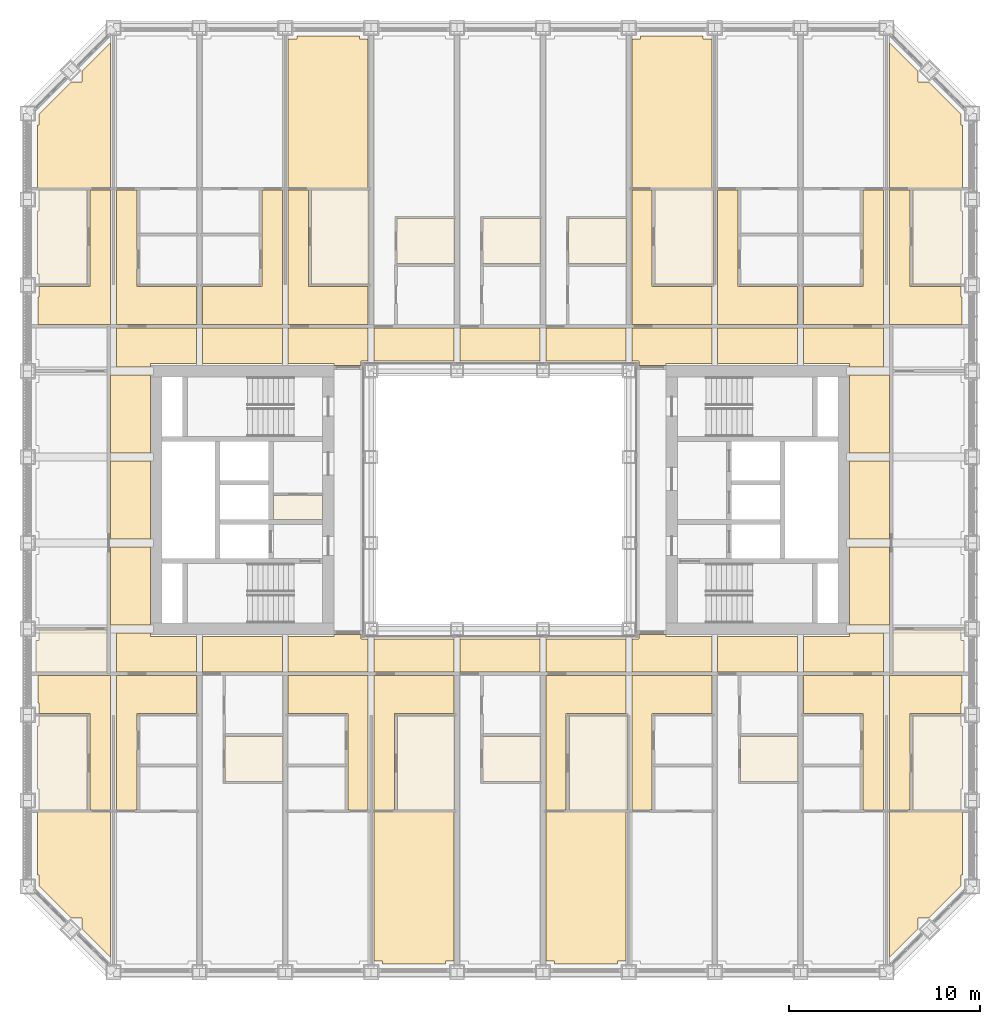
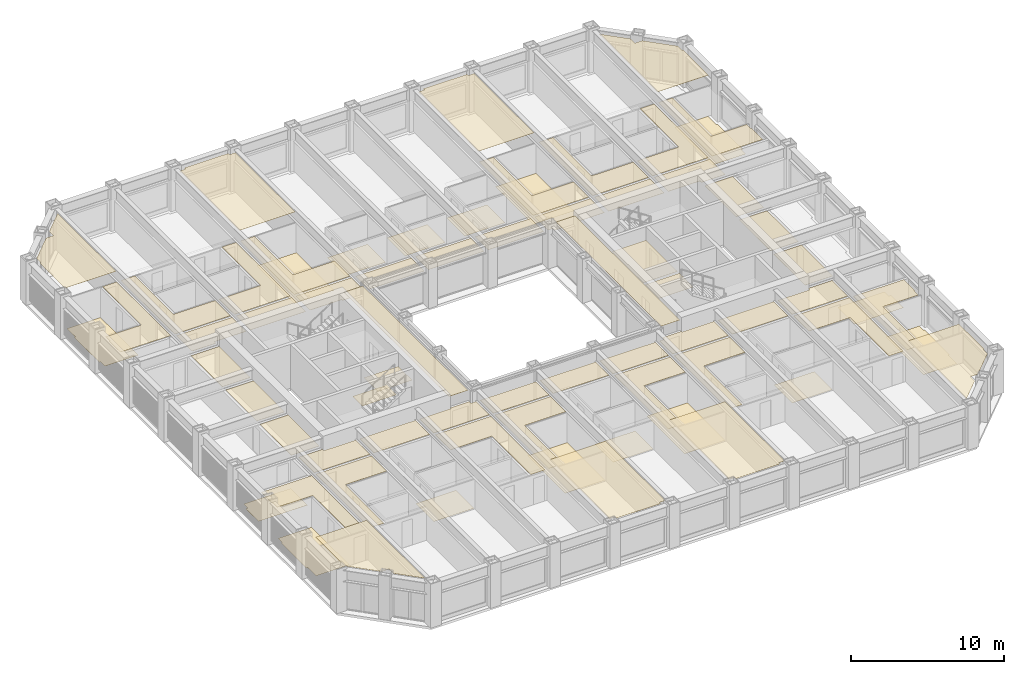
# One storey, part 19 of 21: 3 coverings.
"""IFC4 building model written with IfcOpenShell, lengths in metres."""

import ifcopenshell
import ifcopenshell.guid

model = None  # the IFC model being written
_history = None  # IfcOwnerHistory: only IFC2X3 demands one
_inside = {}  # id of a spatial element -> (the spatial element, [elements in it])
_under = {}  # id of a project, library or spatial element -> (it, [spatial elements below it])
_declared = {}  # id of a project -> (the project, [libraries it declares])
_typed = {}  # id of a type object -> (the type object, [elements of that type])
_made_of = {}  # id of a material, layer set ... -> (it, [elements and type objects made of it])


def new_model(schema):
    """Start an empty IFC model of exactly this schema.

    Asked for "IFC4X3", IfcOpenShell would pick the latest addendum, in which some entities
    have other attributes; the version numbers below select the first issue.
    IFC2X3 requires an IfcOwnerHistory on every rooted entity: one is made here for all.
    """
    global model, _history
    if schema == "IFC4X3":
        model = ifcopenshell.file(schema_version=(4, 3, 0, 0))
    else:
        model = ifcopenshell.file(schema=schema)
    _inside.clear()
    _under.clear()
    _declared.clear()
    _typed.clear()
    _made_of.clear()
    _history = None
    if model.schema == "IFC2X3":
        org = make("IfcOrganization", Name="unknown")
        user = make(
            "IfcPersonAndOrganization",
            ThePerson=make("IfcPerson", FamilyName="unknown"),
            TheOrganization=org,
        )
        app = make(
            "IfcApplication",
            ApplicationDeveloper=org,
            Version="unknown",
            ApplicationFullName="unknown",
            ApplicationIdentifier="unknown",
        )
        _history = make(
            "IfcOwnerHistory",
            OwningUser=user,
            OwningApplication=app,
            ChangeAction="ADDED",
            CreationDate=0,
        )
    return model


def make(cls, **values):
    """One entity of the class cls with the attributes given. An attribute that is None is left unset."""
    return model.create_entity(
        cls, **{name: value for name, value in values.items() if value is not None}
    )


def rooted(cls, **values):
    """An entity with a GlobalId (a new one), such as an element, a storey or a relation."""
    return make(cls, GlobalId=ifcopenshell.guid.new(), OwnerHistory=_history, **values)


def si_unit(unit_type, name, prefix=None):
    """IfcSIUnit, for example si_unit("LENGTHUNIT", "METRE", prefix="MILLI")."""
    return make("IfcSIUnit", UnitType=unit_type, Prefix=prefix, Name=name)


def assignment(units):
    """IfcUnitAssignment: the units of a project."""
    return None if units is None else make("IfcUnitAssignment", Units=units)


def point(xyz):
    """IfcCartesianPoint."""
    return None if xyz is None else make("IfcCartesianPoint", Coordinates=xyz)


def direction(xyz):
    """IfcDirection."""
    return None if xyz is None else make("IfcDirection", DirectionRatios=xyz)


def frame(location, z_axis=None, x_axis=None):
    """IfcAxis2Placement3D, a coordinate frame: its origin and axes. An axis left out is left unset."""
    return make(
        "IfcAxis2Placement3D",
        Location=point(location),
        Axis=direction(z_axis),
        RefDirection=direction(x_axis),
    )


def origin():
    """The frame at (0, 0, 0) with its axes left unset."""
    return frame((0.0, 0.0, 0.0))


def place(relative_to, where):
    """IfcLocalPlacement: puts the frame where relative to a parent placement (None: the world)."""
    return make(
        "IfcLocalPlacement", PlacementRelTo=relative_to, RelativePlacement=where
    )


def context(
    kind, dimensions, precision=None, world=None, true_north=None, identifier=None
):
    """IfcGeometricRepresentationContext, for example the 3D "Model" context."""
    return make(
        "IfcGeometricRepresentationContext",
        ContextIdentifier=identifier,
        ContextType=kind,
        CoordinateSpaceDimension=dimensions,
        Precision=precision,
        WorldCoordinateSystem=world,
        TrueNorth=true_north,
    )


def subcontext(parent, identifier, kind, view, scale=None):
    """IfcGeometricRepresentationSubContext, for example "Body" below "Model"."""
    return make(
        "IfcGeometricRepresentationSubContext",
        ContextIdentifier=identifier,
        ContextType=kind,
        ParentContext=parent,
        TargetScale=scale,
        TargetView=view,
    )


def project(units=None, contexts=None):
    """IfcProject with its units and contexts."""
    return rooted(
        "IfcProject",
        Name="project",
        RepresentationContexts=contexts,
        UnitsInContext=assignment(units),
    )


def spatial(cls, under=None, at=None, **own):
    """A site, building, storey or space (cls), placed at a placement, below another one or the project."""
    s = rooted(cls, ObjectPlacement=at, **own)
    if under is not None:
        _under.setdefault(under.id(), (under, []))[1].append(s)
    return s


def point_list(points):
    """IfcCartesianPointList2D or 3D."""
    cls = (
        "IfcCartesianPointList2D" if len(points[0]) == 2 else "IfcCartesianPointList3D"
    )
    return make(cls, CoordList=points)


def line(*indices):
    """IfcLineIndex: a straight run through numbered points of an indexed curve."""
    return model.create_entity("IfcLineIndex", indices)


def indexed_curve(points, segments=None, self_intersect=None):
    """IfcIndexedPolyCurve: lines and arcs through numbered points (the first is 1)."""
    return make(
        "IfcIndexedPolyCurve",
        Points=point_list(points),
        Segments=segments,
        SelfIntersect=self_intersect,
    )


def outline(outer, holes=None, kind="AREA"):
    """IfcArbitraryClosedProfileDef: a profile drawn as a closed curve; with holes, ...WithVoids."""
    if holes is None:
        return make("IfcArbitraryClosedProfileDef", ProfileType=kind, OuterCurve=outer)
    return make(
        "IfcArbitraryProfileDefWithVoids",
        ProfileType=kind,
        OuterCurve=outer,
        InnerCurves=holes,
    )


def extrude(swept, where, along, depth):
    """IfcExtrudedAreaSolid: the profile swept, set in the frame where, extruded along a direction by depth."""
    return make(
        "IfcExtrudedAreaSolid",
        SweptArea=swept,
        Position=where,
        ExtrudedDirection=direction(along),
        Depth=depth,
    )


def shape(context_of_items, identifier, shape_type, items):
    """IfcShapeRepresentation: the items that make up one representation, for example the "Body"."""
    return make(
        "IfcShapeRepresentation",
        ContextOfItems=context_of_items,
        RepresentationIdentifier=identifier,
        RepresentationType=shape_type,
        Items=items,
    )


def material(Name=None, Category=None):
    """IfcMaterial."""
    return make("IfcMaterial", Name=Name, Category=Category)


def layer(
    of_material, thickness, ventilated=None, Name=None, Category=None, Priority=None
):
    """IfcMaterialLayer: one layer of a wall or slab, of a material (None: an air gap)."""
    return make(
        "IfcMaterialLayer",
        Material=of_material,
        LayerThickness=thickness,
        IsVentilated=ventilated,
        Name=Name,
        Category=Category,
        Priority=Priority,
    )


def layer_set(layers, Name=None):
    """IfcMaterialLayerSet."""
    return make("IfcMaterialLayerSet", MaterialLayers=layers, LayerSetName=Name)


def made_of(thing, what):
    """Note that an element or type object is made of a material, layer set ...; save() writes the relation."""
    if what is not None:
        _made_of.setdefault(what.id(), (what, []))[1].append(thing)
    return thing


def type_object(cls, material=None, **own):
    """A type object (cls), such as IfcWallType, which elements share."""
    return made_of(rooted(cls, **own), material)


def element(
    cls,
    number,
    at=None,
    inside=None,
    cuts=None,
    type_object=None,
    material=None,
    context=None,
    identifier="Body",
    shape_type=None,
    held_by="IfcProductDefinitionShape",
    body=None,
    shapes=None,
    **own,
):
    """One element of the class cls, such as IfcWall. Its Tag is "e" and its number.

    at: its placement. inside: the storey or other place that contains it. cuts: it is an
    opening in that element (IfcRelVoidsElement). A single representation is given by context,
    identifier, shape_type and body (its items); several are given by shapes. held_by: the class
    of the entity that holds the representations. save() writes the other relations.
    """
    e = rooted(cls, Tag="e%d" % number, ObjectPlacement=at, **own)
    if body is not None:
        shapes = [shape(context, identifier, shape_type, body)]
    if shapes is not None:
        e.Representation = make(held_by, Representations=shapes)
    if inside is not None:
        _inside.setdefault(inside.id(), (inside, []))[1].append(e)
    if cuts is not None:
        rooted(
            "IfcRelVoidsElement", RelatingBuildingElement=cuts, RelatedOpeningElement=e
        )
    if type_object is not None:
        _typed.setdefault(type_object.id(), (type_object, []))[1].append(e)
    return made_of(e, material)


def aggregate(whole, parts):
    """IfcRelAggregates: a whole, such as a stair, and the parts it consists of."""
    return rooted("IfcRelAggregates", RelatingObject=whole, RelatedObjects=parts)


def save(model, path):
    """Write the relations noted so far, then the file.

    IfcRelAggregates (storeys below a building ...), IfcRelContainedInSpatialStructure (elements
    in a storey), IfcRelDefinesByType, IfcRelAssociatesMaterial and IfcRelDeclares: one each for
    every whole, place, type object, material and project.
    """
    for whole, parts in _under.values():
        aggregate(whole, parts)
    for where, things in _inside.values():
        rooted(
            "IfcRelContainedInSpatialStructure",
            RelatedElements=things,
            RelatingStructure=where,
        )
    for kind, things in _typed.values():
        rooted("IfcRelDefinesByType", RelatedObjects=things, RelatingType=kind)
    for what, things in _made_of.values():
        rooted("IfcRelAssociatesMaterial", RelatedObjects=things, RelatingMaterial=what)
    for by, libraries in _declared.values():
        rooted("IfcRelDeclares", RelatingContext=by, RelatedDefinitions=libraries)
    model.write(path)


model = new_model("IFC4")

# Units and contexts
model_context = context("Model", 3, precision=1e-05, world=origin(), true_north=direction((0.0, 1.0)))
body_context = subcontext(model_context, "Body", "Model", "MODEL_VIEW")
ifc_project = project(units=[si_unit("LENGTHUNIT", "METRE"), si_unit("AREAUNIT", "SQUARE_METRE"), si_unit("VOLUMEUNIT", "CUBIC_METRE"), si_unit("PLANEANGLEUNIT", "RADIAN"), si_unit("MASSUNIT", "GRAM", prefix="KILO")], contexts=[model_context])

# Site, building, storey
site_placement = place(None, origin())
site = spatial("IfcSite", under=ifc_project, at=site_placement, CompositionType="ELEMENT")
building_placement = place(site_placement, origin())
building = spatial("IfcBuilding", under=site, at=building_placement, Name="Msasa Ring Tower", CompositionType="ELEMENT")
storey_placement = place(building_placement, frame((0.0, 0.0, 44.0)))
storey = spatial("IfcBuildingStorey", under=building, at=storey_placement, Name="L10", CompositionType="ELEMENT", Elevation=44.0)

# Coverings
ifc_material_1 = material(Name="Gypsum plasterboard on a steel suspension grid", Category="steel")
ifc_layer_1 = layer(ifc_material_1, 0.014892578125)
ifc_layer_set_1 = layer_set([ifc_layer_1], Name="C1 SUSPENDED PLASTERBOARD CEILING 15")
covering_type_1 = type_object("IfcCoveringType", Name="C1 SUSPENDED PLASTERBOARD CEILING 15", PredefinedType="CEILING", material=ifc_layer_set_1)
covering_1_placement = place(storey_placement, frame((0.0, 0.0, 2.39990234375)))
element("IfcCovering", 1, at=covering_1_placement, inside=storey, type_object=covering_type_1, Name="Suspended Plasterboard Ceiling 15 circulation L10", PredefinedType="CEILING", context=body_context, shape_type="SweptSolid", body=[
    extrude(outline(indexed_curve([(-21.469482421875, -16.244384765625), (-21.469482421875, -11.199462890625), (-24.1494140625, -11.199462890625), (-24.1494140625, -10.6494140625), (-24.199462890625, -10.6494140625), (-24.199462890625, -9.200439453125), (-20.404296875, -9.200439453125), (-20.404296875, -16.244384765625)], segments=[line(1, 2, 3, 4, 5, 6, 7, 8, 1)], self_intersect=False)), origin(), (0.0, 0.0, 1.0), 0.01513671875),
    extrude(outline(indexed_curve([(-24.199462890625, 9.200439453125), (-24.199462890625, 10.6494140625), (-24.1494140625, 10.6494140625), (-24.1494140625, 11.199462890625), (-21.469482421875, 11.199462890625), (-21.469482421875, 16.244384765625), (-20.404296875, 16.244384765625), (-20.404296875, 9.200439453125)], segments=[line(1, 2, 3, 4, 5, 6, 7, 8, 1)], self_intersect=False)), origin(), (0.0, 0.0, 1.0), 0.01513671875),
    extrude(outline(indexed_curve([(-20.3994140625, -2.460693359375), (-18.300537109375, -2.460693359375), (-18.300537109375, -6.539306640625), (-20.3994140625, -6.539306640625)], segments=[line(1, 2, 3, 4, 1)], self_intersect=False)), origin(), (0.0, 0.0, 1.0), 0.01513671875),
    extrude(outline(indexed_curve([(-20.3994140625, 2.039306640625), (-18.300537109375, 2.039306640625), (-18.300537109375, -2.039306640625), (-20.3994140625, -2.039306640625)], segments=[line(1, 2, 3, 4, 1)], self_intersect=False)), origin(), (0.0, 0.0, 1.0), 0.01513671875),
    extrude(outline(indexed_curve([(-20.3994140625, 6.539306640625), (-18.300537109375, 6.539306640625), (-18.300537109375, 2.460693359375), (-20.3994140625, 2.460693359375)], segments=[line(1, 2, 3, 4, 1)], self_intersect=False)), origin(), (0.0, 0.0, 1.0), 0.01513671875),
    extrude(outline(indexed_curve([(-20.095703125, -16.244384765625), (-20.095703125, -9.200439453125), (-15.904296875, -9.200439453125), (-15.904296875, -11.199462890625), (-19.030517578125, -11.199462890625), (-19.030517578125, -16.244384765625)], segments=[line(1, 2, 3, 4, 5, 6, 1)], self_intersect=False)), origin(), (0.0, 0.0, 1.0), 0.01513671875),
    extrude(outline(indexed_curve([(-20.095703125, -8.99951171875), (-20.095703125, -6.960693359375), (-18.300537109375, -6.960693359375), (-18.300537109375, -7.150390625), (-15.904296875, -7.150390625), (-15.904296875, -8.99951171875)], segments=[line(1, 2, 3, 4, 5, 6, 1)], self_intersect=False)), origin(), (0.0, 0.0, 1.0), 0.01513671875),
    extrude(outline(indexed_curve([(-15.904296875, 8.99951171875), (-15.904296875, 7.150390625), (-18.300537109375, 7.150390625), (-18.300537109375, 6.960693359375), (-20.095703125, 6.960693359375), (-20.095703125, 8.99951171875)], segments=[line(1, 2, 3, 4, 5, 6, 1)], self_intersect=False)), origin(), (0.0, 0.0, 1.0), 0.01513671875),
    extrude(outline(indexed_curve([(-19.030517578125, 16.244384765625), (-19.030517578125, 11.199462890625), (-15.904296875, 11.199462890625), (-15.904296875, 9.200439453125), (-20.095703125, 9.200439453125), (-20.095703125, 16.244384765625)], segments=[line(1, 2, 3, 4, 5, 6, 1)], self_intersect=False)), origin(), (0.0, 0.0, 1.0), 0.01513671875),
    extrude(outline(indexed_curve([(-15.595703125, -8.99951171875), (-15.595703125, -7.150390625), (-11.404296875, -7.150390625), (-11.404296875, -8.99951171875)], segments=[line(1, 2, 3, 4, 1)], self_intersect=False)), origin(), (0.0, 0.0, 1.0), 0.01513671875),
    extrude(outline(indexed_curve([(-11.404296875, 8.99951171875), (-11.404296875, 7.150390625), (-15.595703125, 7.150390625), (-15.595703125, 8.99951171875)], segments=[line(1, 2, 3, 4, 1)], self_intersect=False)), origin(), (0.0, 0.0, 1.0), 0.01513671875),
    extrude(outline(indexed_curve([(-15.595703125, 9.200439453125), (-15.595703125, 11.199462890625), (-12.469482421875, 11.199462890625), (-12.469482421875, 16.244384765625), (-11.404296875, 16.244384765625), (-11.404296875, 9.200439453125)], segments=[line(1, 2, 3, 4, 5, 6, 1)], self_intersect=False)), origin(), (0.0, 0.0, 1.0), 0.01513671875),
    extrude(outline(indexed_curve([(-11.87451171875, -1.275390625), (-9.300537109375, -1.275390625), (-9.300537109375, -3.074462890625), (-11.87451171875, -3.074462890625)], segments=[line(1, 2, 3, 4, 1)], self_intersect=False)), origin(), (0.0, 0.0, 1.0), 0.01513671875),
    extrude(outline(indexed_curve([(-7.969482421875, -16.244384765625), (-7.969482421875, -11.199462890625), (-11.095703125, -11.199462890625), (-11.095703125, -9.200439453125), (-6.904296875, -9.200439453125), (-6.904296875, -16.244384765625)], segments=[line(1, 2, 3, 4, 5, 6, 1)], self_intersect=False)), origin(), (0.0, 0.0, 1.0), 0.01513671875),
    extrude(outline(indexed_curve([(-11.095703125, -8.99951171875), (-11.095703125, -7.150390625), (-8.699462890625, -7.150390625), (-8.699462890625, -7.050537109375), (-7.280029296875, -7.050537109375), (-7.275390625, -7.275390625), (-6.904296875, -7.280029296875), (-6.904296875, -8.99951171875)], segments=[line(1, 2, 3, 4, 5, 6, 7, 8, 1)], self_intersect=False)), origin(), (0.0, 0.0, 1.0), 0.01513671875),
    extrude(outline(indexed_curve([(-6.904296875, 8.99951171875), (-6.904296875, 7.280029296875), (-7.275390625, 7.275390625), (-7.280029296875, 7.050537109375), (-8.699462890625, 7.050537109375), (-8.699462890625, 7.150390625), (-11.095703125, 7.150390625), (-11.095703125, 8.99951171875)], segments=[line(1, 2, 3, 4, 5, 6, 7, 8, 1)], self_intersect=False)), origin(), (0.0, 0.0, 1.0), 0.01513671875),
    extrude(outline(indexed_curve([(-10.030517578125, 16.244384765625), (-10.030517578125, 11.199462890625), (-6.904296875, 11.199462890625), (-6.904296875, 9.200439453125), (-11.095703125, 9.200439453125), (-11.095703125, 16.244384765625)], segments=[line(1, 2, 3, 4, 5, 6, 1)], self_intersect=False)), origin(), (0.0, 0.0, 1.0), 0.01513671875),
    extrude(outline(indexed_curve([(-2.404296875, -9.200439453125), (-2.404296875, -11.199462890625), (-5.530517578125, -11.199462890625), (-5.530517578125, -16.244384765625), (-6.595703125, -16.244384765625), (-6.595703125, -9.200439453125)], segments=[line(1, 2, 3, 4, 5, 6, 1)], self_intersect=False)), origin(), (0.0, 0.0, 1.0), 0.01513671875),
    extrude(outline(indexed_curve([(-6.595703125, -8.99951171875), (-6.595703125, -7.280029296875), (-2.404296875, -7.280029296875), (-2.404296875, -8.99951171875)], segments=[line(1, 2, 3, 4, 1)], self_intersect=False)), origin(), (0.0, 0.0, 1.0), 0.01513671875),
    extrude(outline(indexed_curve([(-2.404296875, 8.99951171875), (-2.404296875, 7.280029296875), (-6.595703125, 7.280029296875), (-6.595703125, 8.99951171875)], segments=[line(1, 2, 3, 4, 1)], self_intersect=False)), origin(), (0.0, 0.0, 1.0), 0.01513671875),
    extrude(outline(indexed_curve([(-2.095703125, -8.99951171875), (-2.095703125, -7.280029296875), (2.095703125, -7.280029296875), (2.095703125, -8.99951171875)], segments=[line(1, 2, 3, 4, 1)], self_intersect=False)), origin(), (0.0, 0.0, 1.0), 0.01513671875),
    extrude(outline(indexed_curve([(2.095703125, 8.99951171875), (2.095703125, 7.280029296875), (-2.095703125, 7.280029296875), (-2.095703125, 8.99951171875)], segments=[line(1, 2, 3, 4, 1)], self_intersect=False)), origin(), (0.0, 0.0, 1.0), 0.01513671875),
    extrude(outline(indexed_curve([(3.469482421875, -11.199462890625), (3.469482421875, -16.244384765625), (2.404296875, -16.244384765625), (2.404296875, -9.200439453125), (6.595703125, -9.200439453125), (6.595703125, -11.199462890625)], segments=[line(1, 2, 3, 4, 5, 6, 1)], self_intersect=False)), origin(), (0.0, 0.0, 1.0), 0.01513671875),
    extrude(outline(indexed_curve([(2.404296875, -8.99951171875), (2.404296875, -7.280029296875), (6.595703125, -7.280029296875), (6.595703125, -8.99951171875)], segments=[line(1, 2, 3, 4, 1)], self_intersect=False)), origin(), (0.0, 0.0, 1.0), 0.01513671875),
    extrude(outline(indexed_curve([(6.595703125, 8.99951171875), (6.595703125, 7.280029296875), (2.404296875, 7.280029296875), (2.404296875, 8.99951171875)], segments=[line(1, 2, 3, 4, 1)], self_intersect=False)), origin(), (0.0, 0.0, 1.0), 0.01513671875),
    extrude(outline(indexed_curve([(11.095703125, -9.200439453125), (11.095703125, -11.199462890625), (7.969482421875, -11.199462890625), (7.969482421875, -16.244384765625), (6.904296875, -16.244384765625), (6.904296875, -9.200439453125)], segments=[line(1, 2, 3, 4, 5, 6, 1)], self_intersect=False)), origin(), (0.0, 0.0, 1.0), 0.01513671875),
    extrude(outline(indexed_curve([(6.904296875, -8.99951171875), (6.904296875, -7.280029296875), (7.275390625, -7.275390625), (7.280029296875, -7.050537109375), (8.699462890625, -7.050537109375), (8.699462890625, -7.150390625), (11.095703125, -7.150390625), (11.095703125, -8.99951171875)], segments=[line(1, 2, 3, 4, 5, 6, 7, 8, 1)], self_intersect=False)), origin(), (0.0, 0.0, 1.0), 0.01513671875),
    extrude(outline(indexed_curve([(11.095703125, 8.99951171875), (11.095703125, 7.150390625), (8.699462890625, 7.150390625), (8.699462890625, 7.050537109375), (7.280029296875, 7.050537109375), (7.275390625, 7.275390625), (6.904296875, 7.280029296875), (6.904296875, 8.99951171875)], segments=[line(1, 2, 3, 4, 5, 6, 7, 8, 1)], self_intersect=False)), origin(), (0.0, 0.0, 1.0), 0.01513671875),
    extrude(outline(indexed_curve([(7.969482421875, 11.199462890625), (11.095703125, 11.199462890625), (11.095703125, 9.200439453125), (6.904296875, 9.200439453125), (6.904296875, 16.244384765625), (7.969482421875, 16.244384765625)], segments=[line(1, 2, 3, 4, 5, 6, 1)], self_intersect=False)), origin(), (0.0, 0.0, 1.0), 0.01513671875),
    extrude(outline(indexed_curve([(9.300537109375, -1.275390625), (11.87451171875, -1.275390625), (11.87451171875, -3.074462890625), (9.300537109375, -3.074462890625)], segments=[line(1, 2, 3, 4, 1)], self_intersect=False)), origin(), (0.0, 0.0, 1.0), 0.01513671875),
    extrude(outline(indexed_curve([(9.300537109375, -1.0244140625), (9.300537109375, 3.074462890625), (11.87451171875, 3.074462890625), (11.87451171875, -1.0244140625)], segments=[line(1, 2, 3, 4, 1)], self_intersect=False)), origin(), (0.0, 0.0, 1.0), 0.01513671875),
    extrude(outline(indexed_curve([(11.404296875, -8.99951171875), (11.404296875, -7.150390625), (15.595703125, -7.150390625), (15.595703125, -8.99951171875)], segments=[line(1, 2, 3, 4, 1)], self_intersect=False)), origin(), (0.0, 0.0, 1.0), 0.01513671875),
    extrude(outline(indexed_curve([(15.595703125, 8.99951171875), (15.595703125, 7.150390625), (11.404296875, 7.150390625), (11.404296875, 8.99951171875)], segments=[line(1, 2, 3, 4, 1)], self_intersect=False)), origin(), (0.0, 0.0, 1.0), 0.01513671875),
    extrude(outline(indexed_curve([(12.469482421875, 16.244384765625), (12.469482421875, 11.199462890625), (15.595703125, 11.199462890625), (15.595703125, 9.200439453125), (11.404296875, 9.200439453125), (11.404296875, 16.244384765625)], segments=[line(1, 2, 3, 4, 5, 6, 1)], self_intersect=False)), origin(), (0.0, 0.0, 1.0), 0.01513671875),
    extrude(outline(indexed_curve([(19.030517578125, -16.244384765625), (19.030517578125, -11.199462890625), (15.904296875, -11.199462890625), (15.904296875, -9.200439453125), (20.095703125, -9.200439453125), (20.095703125, -16.244384765625)], segments=[line(1, 2, 3, 4, 5, 6, 1)], self_intersect=False)), origin(), (0.0, 0.0, 1.0), 0.01513671875),
    extrude(outline(indexed_curve([(15.904296875, -8.99951171875), (15.904296875, -7.150390625), (18.300537109375, -7.150390625), (18.300537109375, -6.960693359375), (20.095703125, -6.960693359375), (20.095703125, -8.99951171875)], segments=[line(1, 2, 3, 4, 5, 6, 1)], self_intersect=False)), origin(), (0.0, 0.0, 1.0), 0.01513671875),
    extrude(outline(indexed_curve([(20.095703125, 8.99951171875), (20.095703125, 6.960693359375), (18.300537109375, 6.960693359375), (18.300537109375, 7.150390625), (15.904296875, 7.150390625), (15.904296875, 8.99951171875)], segments=[line(1, 2, 3, 4, 5, 6, 1)], self_intersect=False)), origin(), (0.0, 0.0, 1.0), 0.01513671875),
    extrude(outline(indexed_curve([(15.904296875, 9.200439453125), (15.904296875, 11.199462890625), (19.030517578125, 11.199462890625), (19.030517578125, 16.244384765625), (20.095703125, 16.244384765625), (20.095703125, 9.200439453125)], segments=[line(1, 2, 3, 4, 5, 6, 1)], self_intersect=False)), origin(), (0.0, 0.0, 1.0), 0.01513671875),
    extrude(outline(indexed_curve([(20.3994140625, -6.539306640625), (18.300537109375, -6.539306640625), (18.300537109375, -2.460693359375), (20.3994140625, -2.460693359375)], segments=[line(1, 2, 3, 4, 1)], self_intersect=False)), origin(), (0.0, 0.0, 1.0), 0.01513671875),
    extrude(outline(indexed_curve([(20.3994140625, -2.039306640625), (18.300537109375, -2.039306640625), (18.300537109375, 2.039306640625), (20.3994140625, 2.039306640625)], segments=[line(1, 2, 3, 4, 1)], self_intersect=False)), origin(), (0.0, 0.0, 1.0), 0.01513671875),
    extrude(outline(indexed_curve([(20.3994140625, 2.460693359375), (18.300537109375, 2.460693359375), (18.300537109375, 6.539306640625), (20.3994140625, 6.539306640625)], segments=[line(1, 2, 3, 4, 1)], self_intersect=False)), origin(), (0.0, 0.0, 1.0), 0.01513671875),
    extrude(outline(indexed_curve([(24.199462890625, -9.200439453125), (24.199462890625, -10.6494140625), (24.1494140625, -10.6494140625), (24.1494140625, -11.199462890625), (21.469482421875, -11.199462890625), (21.469482421875, -16.244384765625), (20.404296875, -16.244384765625), (20.404296875, -9.200439453125)], segments=[line(1, 2, 3, 4, 5, 6, 7, 8, 1)], self_intersect=False)), origin(), (0.0, 0.0, 1.0), 0.01513671875),
    extrude(outline(indexed_curve([(21.469482421875, 16.244384765625), (21.469482421875, 11.199462890625), (24.1494140625, 11.199462890625), (24.1494140625, 10.6494140625), (24.199462890625, 10.6494140625), (24.199462890625, 9.200439453125), (20.404296875, 9.200439453125), (20.404296875, 16.244384765625)], segments=[line(1, 2, 3, 4, 5, 6, 7, 8, 1)], self_intersect=False)), origin(), (0.0, 0.0, 1.0), 0.01513671875),
])
covering_2_placement = place(storey_placement, frame((0.0, 0.0, 3.175048828125)))
element("IfcCovering", 2, at=covering_2_placement, inside=storey, type_object=covering_type_1, Name="Suspended Plasterboard Ceiling 15 public rooms L10", PredefinedType="CEILING", context=body_context, shape_type="SweptSolid", body=[
    extrude(outline(indexed_curve([(-24.239501953125, -16.35546875), (-20.404296875, -16.35546875), (-20.404296875, -23.95849609375), (-21.8994140625, -22.46337890625), (-21.8994140625, -21.8994140625), (-22.46337890625, -21.8994140625), (-24.1494140625, -20.21337890625), (-24.1494140625, -19.6494140625), (-24.239501953125, -19.6494140625)], segments=[line(1, 2, 3, 4, 5, 6, 7, 8, 9, 1)], self_intersect=False)), origin(), (0.0, 0.0, 1.0), 0.014892578125),
    extrude(outline(indexed_curve([(-24.239501953125, 16.35546875), (-24.239501953125, 19.6494140625), (-24.1494140625, 19.6494140625), (-24.1494140625, 20.21337890625), (-22.46337890625, 21.8994140625), (-21.8994140625, 21.8994140625), (-21.8994140625, 22.46337890625), (-20.404296875, 23.95849609375), (-20.404296875, 16.35546875)], segments=[line(1, 2, 3, 4, 5, 6, 7, 8, 9, 1)], self_intersect=False)), origin(), (0.0, 0.0, 1.0), 0.014892578125),
    extrude(outline(indexed_curve([(-11.095703125, 16.35546875), (-11.095703125, 24.1494140625), (-10.6494140625, 24.1494140625), (-10.6494140625, 24.299560546875), (-7.3505859375, 24.299560546875), (-7.3505859375, 24.1494140625), (-6.904296875, 24.1494140625), (-6.904296875, 16.35546875)], segments=[line(1, 2, 3, 4, 5, 6, 7, 8, 1)], self_intersect=False)), origin(), (0.0, 0.0, 1.0), 0.014892578125),
    extrude(outline(indexed_curve([(-8.699462890625, 6.849609375), (-7.280029296875, 6.849609375), (-7.280029296875, -6.849609375), (-8.699462890625, -6.849609375)], segments=[line(1, 2, 3, 4, 1)], self_intersect=False)), origin(), (0.0, 0.0, 1.0), 0.014892578125),
    extrude(outline(indexed_curve([(-2.404296875, -16.35546875), (-2.404296875, -24.1494140625), (-2.8505859375, -24.1494140625), (-2.8505859375, -24.299560546875), (-6.1494140625, -24.299560546875), (-6.1494140625, -24.1494140625), (-6.595703125, -24.1494140625), (-6.595703125, -16.35546875)], segments=[line(1, 2, 3, 4, 5, 6, 7, 8, 1)], self_intersect=False)), origin(), (0.0, 0.0, 1.0), 0.014892578125),
    extrude(outline(indexed_curve([(6.595703125, -16.35546875), (6.595703125, -24.1494140625), (6.1494140625, -24.1494140625), (6.1494140625, -24.299560546875), (2.8505859375, -24.299560546875), (2.8505859375, -24.1494140625), (2.404296875, -24.1494140625), (2.404296875, -16.35546875)], segments=[line(1, 2, 3, 4, 5, 6, 7, 8, 1)], self_intersect=False)), origin(), (0.0, 0.0, 1.0), 0.014892578125),
    extrude(outline(indexed_curve([(6.904296875, 16.35546875), (6.904296875, 24.1494140625), (7.3505859375, 24.1494140625), (7.3505859375, 24.299560546875), (10.6494140625, 24.299560546875), (10.6494140625, 24.1494140625), (11.095703125, 24.1494140625), (11.095703125, 16.35546875)], segments=[line(1, 2, 3, 4, 5, 6, 7, 8, 1)], self_intersect=False)), origin(), (0.0, 0.0, 1.0), 0.014892578125),
    extrude(outline(indexed_curve([(7.280029296875, -6.849609375), (7.280029296875, 6.849609375), (8.699462890625, 6.849609375), (8.699462890625, -6.849609375)], segments=[line(1, 2, 3, 4, 1)], self_intersect=False)), origin(), (0.0, 0.0, 1.0), 0.014892578125),
    extrude(outline(indexed_curve([(24.239501953125, -16.35546875), (24.239501953125, -19.6494140625), (24.1494140625, -19.6494140625), (24.1494140625, -20.21337890625), (22.46337890625, -21.8994140625), (21.8994140625, -21.8994140625), (21.8994140625, -22.46337890625), (20.404296875, -23.95849609375), (20.404296875, -16.35546875)], segments=[line(1, 2, 3, 4, 5, 6, 7, 8, 9, 1)], self_intersect=False)), origin(), (0.0, 0.0, 1.0), 0.014892578125),
    extrude(outline(indexed_curve([(24.239501953125, 16.35546875), (20.404296875, 16.35546875), (20.404296875, 23.95849609375), (21.8994140625, 22.46337890625), (21.8994140625, 21.8994140625), (22.46337890625, 21.8994140625), (24.1494140625, 20.21337890625), (24.1494140625, 19.6494140625), (24.239501953125, 19.6494140625)], segments=[line(1, 2, 3, 4, 5, 6, 7, 8, 9, 1)], self_intersect=False)), origin(), (0.0, 0.0, 1.0), 0.014892578125),
])
ifc_material_2 = material(Name="Welded vinyl safety sheet flooring", Category="vinyl")
ifc_layer_2 = layer(ifc_material_2, 0.0029296875)
ifc_layer_set_2 = layer_set([ifc_layer_2], Name="F5 RESILIENT SHEET FLOORING 3")
covering_type_2 = type_object("IfcCoveringType", Name="F5 RESILIENT SHEET FLOORING 3", PredefinedType="FLOORING", material=ifc_layer_set_2)
covering_3_placement = place(storey_placement, origin())
element("IfcCovering", 3, at=covering_3_placement, inside=storey, type_object=covering_type_2, Name="Resilient Sheet Flooring 3 L10", PredefinedType="FLOORING", context=body_context, shape_type="SweptSolid", body=[
    extrude(outline(indexed_curve([(-24.299560546875, -8.99951171875), (-24.299560546875, -7.3505859375), (-24.1494140625, -7.3505859375), (-24.1494140625, -6.805419921875), (-20.6005859375, -6.805419921875), (-20.6005859375, -8.99951171875)], segments=[line(1, 2, 3, 4, 5, 6, 1)], self_intersect=False)), origin(), (0.0, 0.0, 1.0), 0.0029296875),
    extrude(outline(indexed_curve([(-21.630615234375, -11.305419921875), (-21.630615234375, -16.244384765625), (-24.1494140625, -16.244384765625), (-24.1494140625, -15.1494140625), (-24.239501953125, -15.1494140625), (-24.239501953125, -11.8505859375), (-24.1494140625, -11.8505859375), (-24.1494140625, -11.305419921875)], segments=[line(1, 2, 3, 4, 5, 6, 7, 8, 1)], self_intersect=False)), origin(), (0.0, 0.0, 1.0), 0.0029296875),
    extrude(outline(indexed_curve([(-21.630615234375, 16.244384765625), (-21.630615234375, 11.305419921875), (-24.1494140625, 11.305419921875), (-24.1494140625, 11.8505859375), (-24.239501953125, 11.8505859375), (-24.239501953125, 15.1494140625), (-24.1494140625, 15.1494140625), (-24.1494140625, 16.244384765625)], segments=[line(1, 2, 3, 4, 5, 6, 7, 8, 1)], self_intersect=False)), origin(), (0.0, 0.0, 1.0), 0.0029296875),
    extrude(outline(indexed_curve([(-11.37548828125, -12.380615234375), (-11.37548828125, -14.744384765625), (-14.3994140625, -14.744384765625), (-14.3994140625, -12.380615234375)], segments=[line(1, 2, 3, 4, 1)], self_intersect=False)), origin(), (0.0, 0.0, 1.0), 0.0029296875),
    extrude(outline(indexed_curve([(-9.300537109375, 0.244384765625), (-9.300537109375, -1.0244140625), (-11.87451171875, -1.0244140625), (-11.87451171875, 0.244384765625)], segments=[line(1, 2, 3, 4, 1)], self_intersect=False)), origin(), (0.0, 0.0, 1.0), 0.0029296875),
    extrude(outline(indexed_curve([(-6.87548828125, 16.244384765625), (-6.87548828125, 11.305419921875), (-9.869384765625, 11.305419921875), (-9.869384765625, 16.244384765625)], segments=[line(1, 2, 3, 4, 1)], self_intersect=False)), origin(), (0.0, 0.0, 1.0), 0.0029296875),
    extrude(outline(indexed_curve([(-2.37548828125, 14.744384765625), (-2.37548828125, 12.380615234375), (-5.3994140625, 12.380615234375), (-5.3994140625, 14.744384765625)], segments=[line(1, 2, 3, 4, 1)], self_intersect=False)), origin(), (0.0, 0.0, 1.0), 0.0029296875),
    extrude(outline(indexed_curve([(-2.37548828125, -11.305419921875), (-2.37548828125, -16.244384765625), (-5.369384765625, -16.244384765625), (-5.369384765625, -11.305419921875)], segments=[line(1, 2, 3, 4, 1)], self_intersect=False)), origin(), (0.0, 0.0, 1.0), 0.0029296875),
    extrude(outline(indexed_curve([(2.12451171875, -12.380615234375), (2.12451171875, -14.744384765625), (-0.8994140625, -14.744384765625), (-0.8994140625, -12.380615234375)], segments=[line(1, 2, 3, 4, 1)], self_intersect=False)), origin(), (0.0, 0.0, 1.0), 0.0029296875),
    extrude(outline(indexed_curve([(2.12451171875, 14.744384765625), (2.12451171875, 12.380615234375), (-0.8994140625, 12.380615234375), (-0.8994140625, 14.744384765625)], segments=[line(1, 2, 3, 4, 1)], self_intersect=False)), origin(), (0.0, 0.0, 1.0), 0.0029296875),
    extrude(outline(indexed_curve([(6.62451171875, 14.744384765625), (6.62451171875, 12.380615234375), (3.6005859375, 12.380615234375), (3.6005859375, 14.744384765625)], segments=[line(1, 2, 3, 4, 1)], self_intersect=False)), origin(), (0.0, 0.0, 1.0), 0.0029296875),
    extrude(outline(indexed_curve([(6.689453125, -11.305419921875), (6.689453125, -16.244384765625), (3.630615234375, -16.244384765625), (3.630615234375, -11.305419921875)], segments=[line(1, 2, 3, 4, 1)], self_intersect=False)), origin(), (0.0, 0.0, 1.0), 0.0029296875),
    extrude(outline(indexed_curve([(11.189453125, 11.305419921875), (8.130615234375, 11.305419921875), (8.130615234375, 16.244384765625), (11.189453125, 16.244384765625)], segments=[line(1, 2, 3, 4, 1)], self_intersect=False)), origin(), (0.0, 0.0, 1.0), 0.0029296875),
    extrude(outline(indexed_curve([(15.62451171875, -12.380615234375), (15.62451171875, -14.744384765625), (12.6005859375, -14.744384765625), (12.6005859375, -12.380615234375)], segments=[line(1, 2, 3, 4, 1)], self_intersect=False)), origin(), (0.0, 0.0, 1.0), 0.0029296875),
    extrude(outline(indexed_curve([(20.6005859375, -6.805419921875), (24.1494140625, -6.805419921875), (24.1494140625, -7.3505859375), (24.299560546875, -7.3505859375), (24.299560546875, -8.99951171875), (20.6005859375, -8.99951171875)], segments=[line(1, 2, 3, 4, 5, 6, 1)], self_intersect=False)), origin(), (0.0, 0.0, 1.0), 0.0029296875),
    extrude(outline(indexed_curve([(24.1494140625, -11.305419921875), (24.1494140625, -11.8505859375), (24.239501953125, -11.8505859375), (24.239501953125, -15.1494140625), (24.1494140625, -15.1494140625), (24.1494140625, -16.244384765625), (21.630615234375, -16.244384765625), (21.630615234375, -11.305419921875)], segments=[line(1, 2, 3, 4, 5, 6, 7, 8, 1)], self_intersect=False)), origin(), (0.0, 0.0, 1.0), 0.0029296875),
    extrude(outline(indexed_curve([(24.239501953125, 11.8505859375), (24.1494140625, 11.8505859375), (24.1494140625, 11.305419921875), (21.630615234375, 11.305419921875), (21.630615234375, 16.244384765625), (24.1494140625, 16.244384765625), (24.1494140625, 15.1494140625), (24.239501953125, 15.1494140625)], segments=[line(1, 2, 3, 4, 5, 6, 7, 8, 1)], self_intersect=False)), origin(), (0.0, 0.0, 1.0), 0.0029296875),
])

save(model, "model.ifc")
